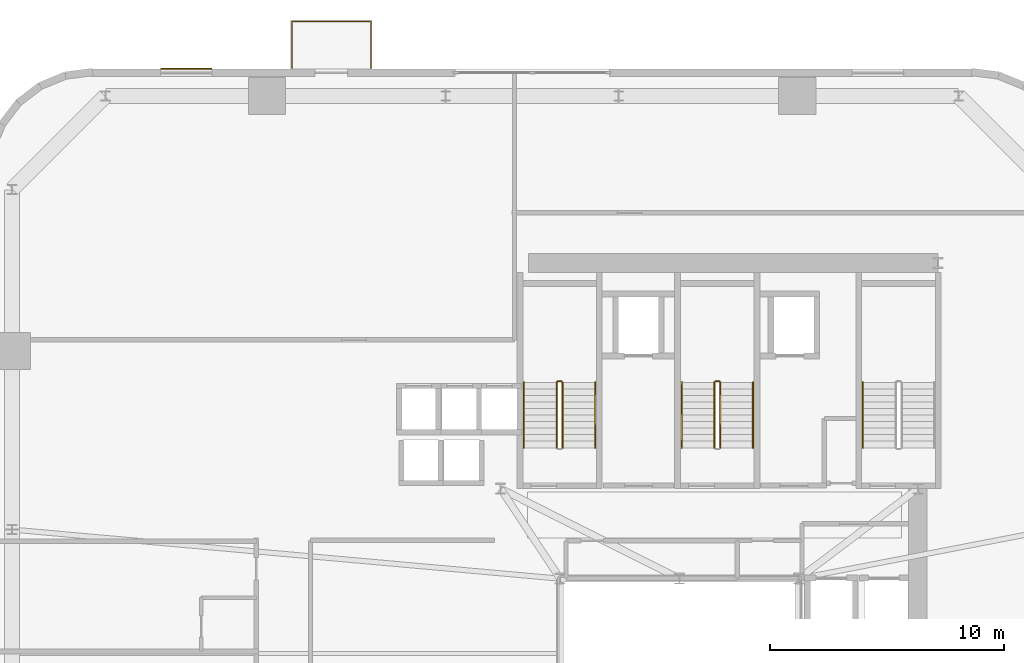
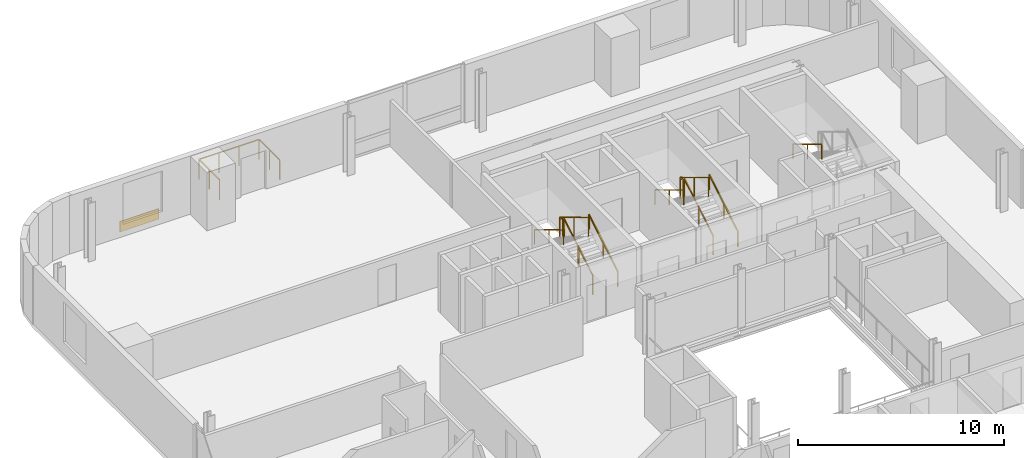
# One storey, part 13 of 14: 12 railings, 1 covering.
"""IFC4 building model written with IfcOpenShell, lengths in metres."""

from ifc_helpers import new_model, si_unit, direction, frame, origin, origin_2d, place, context, subcontext, project, spatial, rectangle, extrude, source, transform, mapped, material, layer, layer_set, type_object, element, save


model = new_model("IFC4")

# Units and contexts
model_context = context("Model", 3, precision=1e-05, world=origin(), true_north=direction((0.0, 1.0)))
body_context = subcontext(model_context, "Body", "Model", "MODEL_VIEW")
ifc_project = project(units=[si_unit("LENGTHUNIT", "METRE"), si_unit("AREAUNIT", "SQUARE_METRE"), si_unit("VOLUMEUNIT", "CUBIC_METRE"), si_unit("PLANEANGLEUNIT", "RADIAN"), si_unit("MASSUNIT", "GRAM", prefix="KILO")], contexts=[model_context])

# Site, building, storey
site_placement = place(None, origin())
site = spatial("IfcSite", under=ifc_project, at=site_placement, CompositionType="ELEMENT")
building_placement = place(site_placement, origin())
building = spatial("IfcBuilding", under=site, at=building_placement, Name="Vardaveli Station Tower", CompositionType="ELEMENT")
storey_placement = place(building_placement, frame((0.0, 0.0, 129.800048828125)))
storey = spatial("IfcBuildingStorey", under=building, at=storey_placement, Name="L33", CompositionType="ELEMENT", Elevation=129.800048828125)

# Covering
ifc_material_1 = material(Name="Ventilated honed travertine stone cladding", Category="masonry")
ifc_layer = layer(ifc_material_1, 0.044921875, Name="Ventilated honed travertine stone cladding")
ifc_layer_set = layer_set([ifc_layer], Name="Ventilated honed travertine stone cladding")
covering_type = type_object("IfcCoveringType", Name="COV-CLAD-TR45", PredefinedType="CLADDING", material=ifc_layer_set)
shared_shape_1 = source(origin(), body_context, "Body", "SweptSolid", [
    extrude(rectangle(XDim=2.199951171875, YDim=0.044921875, at=origin_2d()), origin(), (0.0, 0.0, 1.0), 0.6201171875),
])
covering_placement = place(storey_placement, frame((15.205078125, 48.614501953125, 0.06982421875), z_axis=(0.0, 0.0, 1.0), x_axis=(1.0, 0.0, 0.0)))
element("IfcCovering", 1, at=covering_placement, inside=storey, type_object=covering_type, Name="CLD-TR-L33-N", PredefinedType="CLADDING", context=body_context, shape_type="MappedRepresentation", body=[
    mapped(shared_shape_1, transform((0.0, 0.0, 0.0), scale=1.0)),
])

# Railings
ifc_material_2 = material(Name="Laminated glass and stainless steel balustrade", Category="steel")
railing_type_1 = type_object("IfcRailingType", Name="RL-BAL-1200", PredefinedType="BALUSTRADE", material=ifc_material_2)
shared_shape_2 = source(origin(), body_context, "Body", "SweptSolid", [
    extrude(rectangle(XDim=0.048095703125, YDim=0.048095703125, at=origin_2d()), frame((0.0, 0.0, 1.17578125), z_axis=(0.0, 1.0, 0.0), x_axis=(-1.0, 0.0, 0.0)), (0.0, 0.0, 1.0), 2.0),
    extrude(rectangle(XDim=0.048095703125, YDim=0.048095703125, at=origin_2d()), frame((0.0, 2.0, 1.17578125), z_axis=(1.0, 0.0, 0.0), x_axis=(0.0, 1.0, 0.0)), (0.0, 0.0, 1.0), 3.3798828125),
    extrude(rectangle(XDim=0.048095703125, YDim=0.048095703125, at=origin_2d()), frame((3.3798828125, 2.0, 1.17578125), z_axis=(0.0, -1.0, 0.0), x_axis=(1.0, 0.0, 0.0)), (0.0, 0.0, 1.0), 2.0),
    extrude(rectangle(XDim=0.0419921875, YDim=0.0419921875, at=origin_2d()), origin(), (0.0, 0.0, 1.0), 1.15185546875),
    extrude(rectangle(XDim=0.0419921875, YDim=0.0419921875, at=origin_2d()), frame((0.0, 1.0, 0.0)), (0.0, 0.0, 1.0), 1.15185546875),
    extrude(rectangle(XDim=0.0419921875, YDim=0.0419921875, at=origin_2d()), frame((0.0, 2.0, 0.0)), (0.0, 0.0, 1.0), 1.15185546875),
    extrude(rectangle(XDim=0.0419921875, YDim=0.0419921875, at=origin_2d()), frame((1.126708984375, 2.0, 0.0)), (0.0, 0.0, 1.0), 1.15185546875),
    extrude(rectangle(XDim=0.0419921875, YDim=0.0419921875, at=origin_2d()), frame((2.253173828125, 2.0, 0.0)), (0.0, 0.0, 1.0), 1.15185546875),
    extrude(rectangle(XDim=0.0419921875, YDim=0.0419921875, at=origin_2d()), frame((3.3798828125, 2.0, 0.0)), (0.0, 0.0, 1.0), 1.15185546875),
    extrude(rectangle(XDim=0.0419921875, YDim=0.0419921875, at=origin_2d()), frame((3.3798828125, 1.0, 0.0)), (0.0, 0.0, 1.0), 1.15185546875),
    extrude(rectangle(XDim=0.0419921875, YDim=0.0419921875, at=origin_2d()), frame((3.3798828125, 0.0, 0.0)), (0.0, 0.0, 1.0), 1.15185546875),
])
railing_placement = place(storey_placement, frame((19.720458984375, 48.639892578125, 0.0)))
element("IfcRailing", 2, at=railing_placement, inside=storey, type_object=railing_type_1, Name="RL-LOG-L33-02", PredefinedType="BALUSTRADE", context=body_context, shape_type="MappedRepresentation", body=[
    mapped(shared_shape_2, transform((0.0, 0.0, 0.0), scale=1.0)),
])
ifc_material_3 = material(Name="Brushed AISI 316 stainless steel", Category="steel")
railing_type_2 = type_object("IfcRailingType", Name="RL-GUARD-1150", PredefinedType="GUARDRAIL", material=ifc_material_3)
shared_shape_3 = source(origin(), body_context, "Body", "SweptSolid", [
    extrude(rectangle(XDim=0.048095703125, YDim=0.048095703125, at=origin_2d()), frame((0.0, 0.0, 1.1259765625), z_axis=(-1.0, 0.0, 0.0), x_axis=(0.0, -1.0, 0.0)), (0.0, 0.0, 1.0), 0.14990234375),
    extrude(rectangle(XDim=0.0419921875, YDim=0.0419921875, at=origin_2d()), origin(), (0.0, 0.0, 1.0), 1.101806640625),
    extrude(rectangle(XDim=0.0419921875, YDim=0.0419921875, at=origin_2d()), frame((-0.14990234375, 0.0, 0.0)), (0.0, 0.0, 1.0), 1.101806640625),
])
for number, where, name in (
    (3, (31.25, 35.25, 1.849853515625), "L33 ST-1 stair guard 2"),
    (4, (38.0, 35.25, 1.849853515625), "L33 ST-2 stair guard 2"),
):
    element("IfcRailing", number, at=place(storey_placement, frame(where)), inside=storey, type_object=railing_type_2, Name=name, PredefinedType="GUARDRAIL", context=body_context, shape_type="MappedRepresentation", body=[
        mapped(shared_shape_3, transform((0.0, 0.0, 0.0), scale=1.0)),
    ])
shared_shape_4 = source(origin(), body_context, "Body", "SweptSolid", [
    extrude(rectangle(XDim=0.048095703125, YDim=0.048095703125, at=origin_2d()), frame((0.0, 0.0, 1.1259765625), z_axis=(0.0, 0.857275202839, 0.514858452973), x_axis=(-1.0, 0.0, 0.0)), (0.0, 0.0, 1.0), 3.26611328125),
    extrude(rectangle(XDim=0.0419921875, YDim=0.0419921875, at=origin_2d()), origin(), (0.0, 0.0, 1.0), 1.101806640625),
    extrude(rectangle(XDim=0.0419921875, YDim=0.0419921875, at=origin_2d()), frame((0.0, 1.39990234375, 0.8408203125)), (0.0, 0.0, 1.0), 1.101806640625),
    extrude(rectangle(XDim=0.0419921875, YDim=0.0419921875, at=origin_2d()), frame((0.0, 2.800048828125, 1.681640625)), (0.0, 0.0, 1.0), 1.101806640625),
])
for number, where, name in (
    (5, (31.300048828125, 32.39990234375, 0.168212890625), "L33 ST-1 stair guard 1"),
    (6, (38.050048828125, 32.39990234375, 0.168212890625), "L33 ST-2 stair guard 1"),
):
    element("IfcRailing", number, at=place(storey_placement, frame(where)), inside=storey, type_object=railing_type_2, Name=name, PredefinedType="GUARDRAIL", context=body_context, shape_type="MappedRepresentation", body=[
        mapped(shared_shape_4, transform((0.0, 0.0, 0.0), scale=1.0)),
    ])
shared_shape_5 = source(origin(), body_context, "Body", "SweptSolid", [
    extrude(rectangle(XDim=0.048095703125, YDim=0.048095703125, at=origin_2d()), frame((0.0, 0.0, 1.1259765625), z_axis=(0.0, -0.857242210791, 0.514913383045), x_axis=(1.0, 0.0, 0.0)), (0.0, 0.0, 1.0), 3.266357421875),
    extrude(rectangle(XDim=0.0419921875, YDim=0.0419921875, at=origin_2d()), origin(), (0.0, 0.0, 1.0), 1.101806640625),
    extrude(rectangle(XDim=0.0419921875, YDim=0.0419921875, at=origin_2d()), frame((0.0, -1.39990234375, 0.8408203125)), (0.0, 0.0, 1.0), 1.101806640625),
    extrude(rectangle(XDim=0.0419921875, YDim=0.0419921875, at=origin_2d()), frame((0.0, -2.800048828125, 1.681884765625)), (0.0, 0.0, 1.0), 1.101806640625),
])
for number, where, name in (
    (7, (31.050048828125, 35.199951171875, 2.01806640625), "L33 ST-1 stair guard 3"),
    (8, (37.800048828125, 35.199951171875, 2.01806640625), "L33 ST-2 stair guard 3"),
):
    element("IfcRailing", number, at=place(storey_placement, frame(where)), inside=storey, type_object=railing_type_2, Name=name, PredefinedType="GUARDRAIL", context=body_context, shape_type="MappedRepresentation", body=[
        mapped(shared_shape_5, transform((0.0, 0.0, 0.0), scale=1.0)),
    ])
railing_type_3 = type_object("IfcRailingType", Name="RL-HAND-900", PredefinedType="HANDRAIL", material=ifc_material_3)
shared_shape_6 = source(origin(), body_context, "Body", "SweptSolid", [
    extrude(rectangle(XDim=0.048095703125, YDim=0.048095703125, at=origin_2d()), frame((0.0, 0.0, 0.8759765625), z_axis=(0.0, 0.857275202839, 0.514858452973), x_axis=(-1.0, 0.0, 0.0)), (0.0, 0.0, 1.0), 3.26611328125),
    extrude(rectangle(XDim=0.0419921875, YDim=0.0419921875, at=origin_2d()), origin(), (0.0, 0.0, 1.0), 0.851806640625),
    extrude(rectangle(XDim=0.0419921875, YDim=0.0419921875, at=origin_2d()), frame((0.0, 1.39990234375, 0.8408203125)), (0.0, 0.0, 1.0), 0.851806640625),
    extrude(rectangle(XDim=0.0419921875, YDim=0.0419921875, at=origin_2d()), frame((0.0, 2.800048828125, 1.681640625)), (0.0, 0.0, 1.0), 0.851806640625),
])
for number, where, name in (
    (9, (32.699951171875, 32.39990234375, 0.168212890625), "L33 ST-1 stair handrail 1"),
    (10, (39.449951171875, 32.39990234375, 0.168212890625), "L33 ST-2 stair handrail 1"),
):
    element("IfcRailing", number, at=place(storey_placement, frame(where)), inside=storey, type_object=railing_type_3, Name=name, PredefinedType="HANDRAIL", context=body_context, shape_type="MappedRepresentation", body=[
        mapped(shared_shape_6, transform((0.0, 0.0, 0.0), scale=1.0)),
    ])
shared_shape_7 = source(origin(), body_context, "Body", "SweptSolid", [
    extrude(rectangle(XDim=0.048095703125, YDim=0.048095703125, at=origin_2d()), frame((0.0, 0.0, 0.8759765625), z_axis=(0.0, -0.857242210791, 0.514913383045), x_axis=(1.0, 0.0, 0.0)), (0.0, 0.0, 1.0), 3.266357421875),
    extrude(rectangle(XDim=0.0419921875, YDim=0.0419921875, at=origin_2d()), origin(), (0.0, 0.0, 1.0), 0.851806640625),
    extrude(rectangle(XDim=0.0419921875, YDim=0.0419921875, at=origin_2d()), frame((0.0, -1.39990234375, 0.8408203125)), (0.0, 0.0, 1.0), 0.851806640625),
    extrude(rectangle(XDim=0.0419921875, YDim=0.0419921875, at=origin_2d()), frame((0.0, -2.800048828125, 1.681884765625)), (0.0, 0.0, 1.0), 0.851806640625),
])
for number, where, name in (
    (11, (29.64990234375, 35.199951171875, 2.01806640625), "L33 ST-1 stair handrail 2"),
    (12, (36.39990234375, 35.199951171875, 2.01806640625), "L33 ST-2 stair handrail 2"),
    (13, (44.14990234375, 35.199951171875, 2.01806640625), "L33 ST-3 stair handrail 2"),
):
    element("IfcRailing", number, at=place(storey_placement, frame(where)), inside=storey, type_object=railing_type_3, Name=name, PredefinedType="HANDRAIL", context=body_context, shape_type="MappedRepresentation", body=[
        mapped(shared_shape_7, transform((0.0, 0.0, 0.0), scale=1.0)),
    ])

save(model, "model.ifc")
